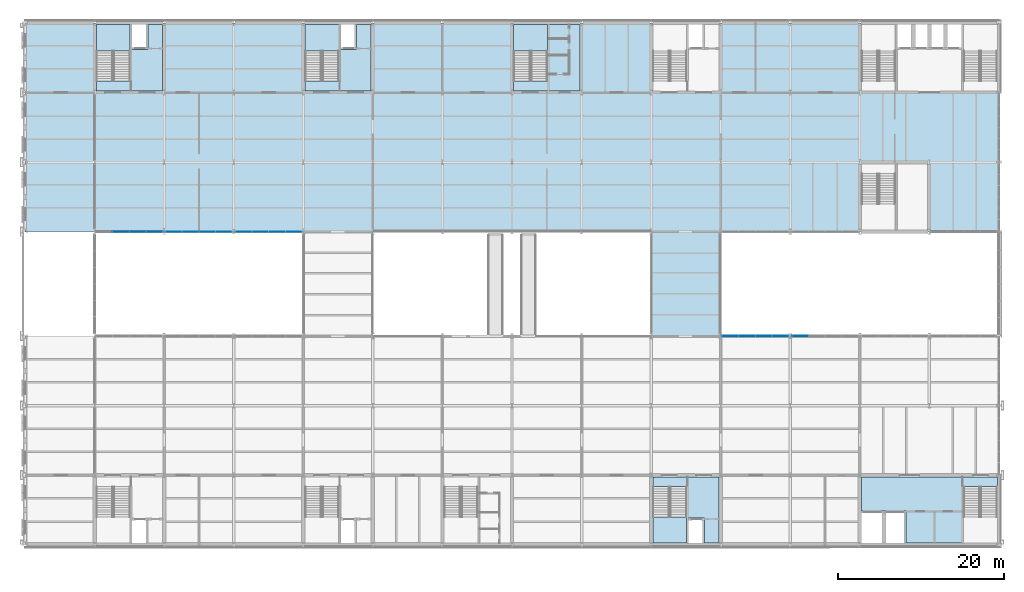
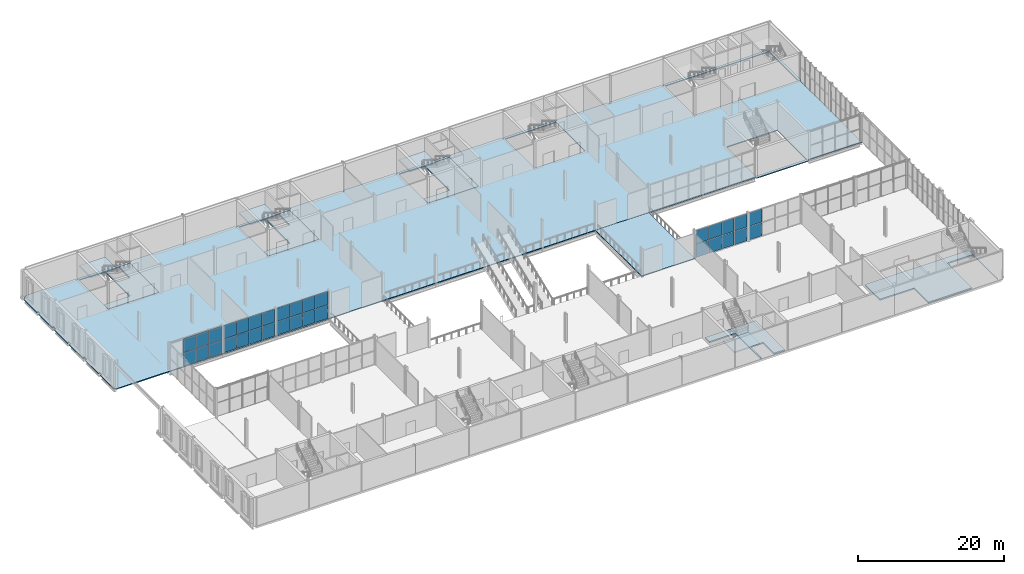
# One storey, part 32 of 61: 32 plates, 11 slabs, 9 elements without a shape of their own.
"""IFC4 building model written with IfcOpenShell, lengths in metres."""

from ifc_helpers import new_model, si_unit, direction, frame, origin, origin_2d, place, context, subcontext, project, spatial, polyline, rectangle, outline, extrude, material, layer, layer_set, type_object, element, aggregate, save


model = new_model("IFC4")

# Units and contexts
model_context = context("Model", 3, precision=1e-05, world=origin(), true_north=direction((0.0, 1.0)))
body_context = subcontext(model_context, "Body", "Model", "MODEL_VIEW")
ifc_project = project(units=[si_unit("LENGTHUNIT", "METRE"), si_unit("AREAUNIT", "SQUARE_METRE"), si_unit("VOLUMEUNIT", "CUBIC_METRE"), si_unit("PLANEANGLEUNIT", "RADIAN"), si_unit("MASSUNIT", "GRAM", prefix="KILO")], contexts=[model_context])

# Site, building, storey
site_placement = place(None, origin())
site = spatial("IfcSite", under=ifc_project, at=site_placement, CompositionType="ELEMENT")
building_placement = place(site_placement, origin())
building = spatial("IfcBuilding", under=site, at=building_placement, Name="Galleria Vessillo Department Store", CompositionType="ELEMENT")
storey_placement = place(building_placement, frame((0.0, 0.0, 11.39990234375)))
storey = spatial("IfcBuildingStorey", under=building, at=storey_placement, Name="L02", CompositionType="ELEMENT", Elevation=11.39990234375)

# Slabs
ifc_material_1 = material(Name="Concrete C32/40 composite on steel deck", Category="concrete")
ifc_layer_1 = layer(ifc_material_1, 0.14990234375)
ifc_layer_set_1 = layer_set([ifc_layer_1], Name="Concrete C32/40 composite on steel deck")
slab_type_1 = type_object("IfcSlabType", Name="Composite bridge slab 150 mm", PredefinedType="FLOOR", material=ifc_layer_set_1)
slab_1_placement = place(storey_placement, frame((0.0, 0.0, -0.14990234375)))
element("IfcSlab", 1, at=slab_1_placement, inside=storey, type_object=slab_type_1, Name="S-SLAB-L02-BRIDGE-E", PredefinedType="FLOOR", context=body_context, shape_type="SweptSolid", body=[
    extrude(outline(polyline([(84.0, 25.199951171875), (84.0, 37.800048828125), (75.60009765625, 37.800048828125), (75.60009765625, 25.199951171875), (84.0, 25.199951171875)])), origin(), (0.0, 0.0, 1.0), 0.14990234375),
])
ifc_material_2 = material(Name="Concrete C32/40 composite on steel deck", Category="concrete")
ifc_layer_2 = layer(ifc_material_2, 0.14990234375)
ifc_layer_set_2 = layer_set([ifc_layer_2], Name="Concrete C32/40 composite on steel deck")
slab_type_2 = type_object("IfcSlabType", Name="Composite floor slab 150 mm", PredefinedType="FLOOR", material=ifc_layer_set_2)
slab_2_placement = place(storey_placement, frame((0.0, 0.0, -0.14990234375)))
element("IfcSlab", 2, at=slab_2_placement, inside=storey, type_object=slab_type_2, Name="S-SLAB-L02-FLOOR-N", PredefinedType="FLOOR", context=body_context, shape_type="SweptSolid", body=[
    extrude(outline(polyline([(-0.088623046875, 38.092529296875), (-0.116943359375, 38.082275390625), (-0.14404296875, 38.069580078125), (-0.169677734375, 38.05419921875), (-0.19384765625, 38.036376953125), (-0.216064453125, 38.01611328125), (-0.236328125, 37.993896484375), (-0.25, 37.975341796875), (-0.25, 41.82470703125), (-0.236328125, 41.80615234375), (-0.216064453125, 41.783935546875), (-0.19384765625, 41.763671875), (-0.169677734375, 41.745849609375), (-0.14404296875, 41.73046875), (-0.116943359375, 41.7177734375), (-0.088623046875, 41.70751953125), (-0.0595703125, 41.7001953125), (-0.030029296875, 41.69580078125), (0.0, 41.6943359375), (0.0, 42.3056640625), (-0.030029296875, 42.30419921875), (-0.0595703125, 42.2998046875), (-0.088623046875, 42.29248046875), (-0.116943359375, 42.2822265625), (-0.14404296875, 42.26953125), (-0.169677734375, 42.254150390625), (-0.19384765625, 42.236328125), (-0.216064453125, 42.216064453125), (-0.236328125, 42.19384765625), (-0.25, 42.17529296875), (-0.25, 46.024658203125), (-0.236328125, 46.006103515625), (-0.216064453125, 45.98388671875), (-0.19384765625, 45.963623046875), (-0.169677734375, 45.94580078125), (-0.14404296875, 45.930419921875), (-0.116943359375, 45.917724609375), (-0.088623046875, 45.907470703125), (-0.0595703125, 45.900146484375), (-0.030029296875, 45.895751953125), (0.0, 45.894287109375), (0.0, 46.505615234375), (-0.030029296875, 46.504150390625), (-0.0595703125, 46.499755859375), (-0.088623046875, 46.492431640625), (-0.116943359375, 46.482177734375), (-0.14404296875, 46.469482421875), (-0.169677734375, 46.4541015625), (-0.19384765625, 46.436279296875), (-0.216064453125, 46.416015625), (-0.236328125, 46.393798828125), (-0.25, 46.375244140625), (-0.25, 50.224609375), (-0.236328125, 50.2060546875), (-0.216064453125, 50.183837890625), (-0.19384765625, 50.16357421875), (-0.169677734375, 50.145751953125), (-0.14404296875, 50.13037109375), (-0.116943359375, 50.11767578125), (-0.088623046875, 50.107421875), (-0.0595703125, 50.10009765625), (-0.030029296875, 50.095703125), (0.0, 50.09423828125), (0.0, 50.70556640625), (-0.030029296875, 50.7041015625), (-0.0595703125, 50.69970703125), (-0.088623046875, 50.6923828125), (-0.116943359375, 50.68212890625), (-0.14404296875, 50.66943359375), (-0.169677734375, 50.654052734375), (-0.19384765625, 50.63623046875), (-0.216064453125, 50.615966796875), (-0.236328125, 50.59375), (-0.25, 50.5751953125), (-0.25, 54.4248046875), (-0.236328125, 54.40625), (-0.216064453125, 54.384033203125), (-0.19384765625, 54.36376953125), (-0.169677734375, 54.345947265625), (-0.14404296875, 54.33056640625), (-0.116943359375, 54.31787109375), (-0.088623046875, 54.3076171875), (-0.0595703125, 54.30029296875), (-0.030029296875, 54.2958984375), (0.0, 54.29443359375), (0.0, 54.90576171875), (-0.030029296875, 54.904296875), (-0.0595703125, 54.89990234375), (-0.088623046875, 54.892578125), (-0.116943359375, 54.88232421875), (-0.14404296875, 54.86962890625), (-0.169677734375, 54.854248046875), (-0.19384765625, 54.83642578125), (-0.216064453125, 54.816162109375), (-0.236328125, 54.7939453125), (-0.25, 54.775390625), (-0.25, 58.624755859375), (-0.236328125, 58.606201171875), (-0.216064453125, 58.583984375), (-0.19384765625, 58.563720703125), (-0.169677734375, 58.5458984375), (-0.14404296875, 58.530517578125), (-0.116943359375, 58.517822265625), (-0.088623046875, 58.507568359375), (-0.0595703125, 58.500244140625), (-0.030029296875, 58.495849609375), (0.0, 58.494384765625), (0.0, 59.105712890625), (-0.030029296875, 59.104248046875), (-0.0595703125, 59.099853515625), (-0.088623046875, 59.092529296875), (-0.116943359375, 59.082275390625), (-0.14404296875, 59.069580078125), (-0.169677734375, 59.05419921875), (-0.19384765625, 59.036376953125), (-0.216064453125, 59.01611328125), (-0.236328125, 58.993896484375), (-0.25, 58.975341796875), (-0.25, 62.82470703125), (-0.236328125, 62.80615234375), (-0.216064453125, 62.783935546875), (-0.19384765625, 62.763671875), (-0.169677734375, 62.745849609375), (-0.14404296875, 62.73046875), (-0.116943359375, 62.7177734375), (-0.088623046875, 62.70751953125), (-0.0595703125, 62.7001953125), (-0.030029296875, 62.69580078125), (0.0, 62.6943359375), (0.0, 63.0), (0.3056640625, 63.0), (0.304931640625, 63.013671875), (0.304931640625, 63.24951171875), (8.249267578125, 63.24951171875), (8.249267578125, 63.0), (8.550537109375, 63.0), (8.550537109375, 63.199462890625), (16.6494140625, 63.199462890625), (16.6494140625, 63.0), (16.95068359375, 63.0), (16.95068359375, 63.24951171875), (25.04931640625, 63.24951171875), (25.04931640625, 63.0), (25.3505859375, 63.0), (25.3505859375, 63.24951171875), (33.449462890625, 63.24951171875), (33.449462890625, 63.0), (33.750732421875, 63.0), (33.750732421875, 63.199462890625), (41.849365234375, 63.199462890625), (41.849365234375, 63.0), (42.150634765625, 63.0), (42.150634765625, 63.24951171875), (50.249267578125, 63.24951171875), (50.249267578125, 63.0), (50.550537109375, 63.0), (50.550537109375, 63.24951171875), (58.6494140625, 63.24951171875), (58.6494140625, 63.0), (58.95068359375, 63.0), (58.95068359375, 63.199462890625), (67.04931640625, 63.199462890625), (67.04931640625, 63.0), (67.3505859375, 63.0), (67.3505859375, 63.24951171875), (75.449462890625, 63.24951171875), (75.449462890625, 63.0), (75.750732421875, 63.0), (75.750732421875, 63.199462890625), (83.846435546875, 63.199462890625), (83.846435546875, 63.0), (84.153564453125, 63.0), (84.153564453125, 63.24951171875), (92.246337890625, 63.24951171875), (92.246337890625, 63.0), (92.553466796875, 63.0), (92.553466796875, 63.24951171875), (100.646484375, 63.24951171875), (100.646484375, 63.0), (100.95361328125, 63.0), (100.95361328125, 63.199462890625), (117.314208984375, 63.199462890625), (117.3134765625, 63.153564453125), (117.3134765625, 63.0), (117.60009765625, 63.0), (117.60009765625, 62.846435546875), (117.799560546875, 62.846435546875), (117.799560546875, 54.753662109375), (117.60009765625, 54.753662109375), (117.60009765625, 37.800048828125), (109.04638671875, 37.800048828125), (109.04638671875, 37.60009765625), (100.95361328125, 37.60009765625), (100.95361328125, 37.800048828125), (0.0, 37.800048828125), (0.0, 38.105712890625), (-0.030029296875, 38.104248046875), (-0.0595703125, 38.099853515625), (-0.088623046875, 38.092529296875)]), holes=[polyline([(16.60009765625, 62.800048828125), (8.599853515625, 62.800048828125), (8.599853515625, 54.800048828125), (16.60009765625, 54.800048828125), (16.60009765625, 62.800048828125)]), polyline([(41.800048828125, 62.800048828125), (33.800048828125, 62.800048828125), (33.800048828125, 54.800048828125), (41.800048828125, 54.800048828125), (41.800048828125, 62.800048828125)]), polyline([(59.0, 62.800048828125), (59.0, 54.800048828125), (67.0, 54.800048828125), (67.0, 62.800048828125), (59.0, 62.800048828125)]), polyline([(101.0, 46.0), (101.0, 38.0), (109.0, 38.0), (109.0, 46.0), (101.0, 46.0)]), polyline([(83.800048828125, 62.800048828125), (75.800048828125, 62.800048828125), (75.800048828125, 54.800048828125), (83.800048828125, 54.800048828125), (83.800048828125, 62.800048828125)]), polyline([(117.400146484375, 62.800048828125), (101.0, 62.800048828125), (101.0, 54.800048828125), (117.400146484375, 54.800048828125), (117.400146484375, 62.800048828125)])]), origin(), (0.0, 0.0, 1.0), 0.14990234375),
])

# Curtain wall, plates
ifc_material_3 = material(Name="Aluminium and glass curtain wall", Category="aluminium")
ifc_layer_3 = layer(ifc_material_3, 0.159912109375)
ifc_layer_set_3 = layer_set([ifc_layer_3], Name="Aluminium and glass curtain wall")
curtain_wall_type_1 = type_object("IfcCurtainWallType", Name="Arcade portal glazing CW2 2100 module", PredefinedType="NOTDEFINED", material=ifc_layer_set_3)
curtain_wall_1_placement = place(storey_placement, origin())
curtain_wall_1 = element("IfcCurtainWall", 3, at=curtain_wall_1_placement, inside=storey, type_object=curtain_wall_type_1, Name="Arcade portal glazing CW2 2100 module PW-W-N-L02-01", PredefinedType="NOTDEFINED")
ifc_material_4 = material(Name="Glass laminated 44.2 low-e", Category="glass")
ifc_layer_4 = layer(ifc_material_4, 0.028076171875)
ifc_layer_set_4 = layer_set([ifc_layer_4], Name="Glass laminated 44.2 low-e")
plate_type_1 = type_object("IfcPlateType", Name="Laminated glass panel 28 mm", PredefinedType="CURTAIN_PANEL", material=ifc_layer_set_4)
plate_1_placement = place(storey_placement, frame((11.588134765625, 37.800048828125, 0.06005859375), z_axis=(0.0, 0.0, 1.0), x_axis=(1.0, 0.0, 0.0)))
plate_1 = element("IfcPlate", 4, at=plate_1_placement, type_object=plate_type_1, Name="CW2 panel 2.1", PredefinedType="CURTAIN_PANEL", context=body_context, shape_type="SweptSolid", body=[
    extrude(rectangle(XDim=1.9736328125, YDim=0.028076171875, at=origin_2d()), origin(), (0.0, 0.0, 1.0), 2.235107421875),
])
plate_2_placement = place(storey_placement, frame((11.588134765625, 37.800048828125, 2.35498046875), z_axis=(0.0, 0.0, 1.0), x_axis=(1.0, 0.0, 0.0)))
plate_2 = element("IfcPlate", 5, at=plate_2_placement, type_object=plate_type_1, Name="CW2 panel 2.2", PredefinedType="CURTAIN_PANEL", context=body_context, shape_type="SweptSolid", body=[
    extrude(rectangle(XDim=1.9736328125, YDim=0.028076171875, at=origin_2d()), origin(), (0.0, 0.0, 1.0), 2.235107421875),
])
plate_3_placement = place(storey_placement, frame((13.61181640625, 37.800048828125, 0.06005859375), z_axis=(0.0, 0.0, 1.0), x_axis=(1.0, 0.0, 0.0)))
plate_3 = element("IfcPlate", 6, at=plate_3_placement, type_object=plate_type_1, Name="CW2 panel 3.1", PredefinedType="CURTAIN_PANEL", context=body_context, shape_type="SweptSolid", body=[
    extrude(rectangle(XDim=1.9736328125, YDim=0.028076171875, at=origin_2d()), origin(), (0.0, 0.0, 1.0), 2.235107421875),
])
plate_4_placement = place(storey_placement, frame((13.61181640625, 37.800048828125, 2.35498046875), z_axis=(0.0, 0.0, 1.0), x_axis=(1.0, 0.0, 0.0)))
plate_4 = element("IfcPlate", 7, at=plate_4_placement, type_object=plate_type_1, Name="CW2 panel 3.2", PredefinedType="CURTAIN_PANEL", context=body_context, shape_type="SweptSolid", body=[
    extrude(rectangle(XDim=1.9736328125, YDim=0.028076171875, at=origin_2d()), origin(), (0.0, 0.0, 1.0), 2.235107421875),
])
plate_5_placement = place(storey_placement, frame((15.623046875, 37.800048828125, 0.06005859375), z_axis=(0.0, 0.0, 1.0), x_axis=(1.0, 0.0, 0.0)))
plate_5 = element("IfcPlate", 8, at=plate_5_placement, type_object=plate_type_1, Name="CW2 panel 4.1", PredefinedType="CURTAIN_PANEL", context=body_context, shape_type="SweptSolid", body=[
    extrude(rectangle(XDim=1.94873046875, YDim=0.028076171875, at=origin_2d()), origin(), (0.0, 0.0, 1.0), 2.235107421875),
])
plate_6_placement = place(storey_placement, frame((15.623046875, 37.800048828125, 2.35498046875), z_axis=(0.0, 0.0, 1.0), x_axis=(1.0, 0.0, 0.0)))
plate_6 = element("IfcPlate", 9, at=plate_6_placement, type_object=plate_type_1, Name="CW2 panel 4.2", PredefinedType="CURTAIN_PANEL", context=body_context, shape_type="SweptSolid", body=[
    extrude(rectangle(XDim=1.94873046875, YDim=0.028076171875, at=origin_2d()), origin(), (0.0, 0.0, 1.0), 2.235107421875),
])
aggregate(curtain_wall_1, [plate_1, plate_2, plate_3, plate_4, plate_5, plate_6])

ifc_material_5 = material(Name="Aluminium and glass curtain wall", Category="aluminium")
ifc_layer_5 = layer(ifc_material_5, 0.199951171875)
ifc_layer_set_5 = layer_set([ifc_layer_5], Name="Aluminium and glass curtain wall")
curtain_wall_type_2 = type_object("IfcCurtainWallType", Name="Arcade curtain wall CW1 2100 module", PredefinedType="NOTDEFINED", material=ifc_layer_set_5)
curtain_wall_2_placement = place(storey_placement, origin())
curtain_wall_2 = element("IfcCurtainWall", 10, at=curtain_wall_2_placement, inside=storey, type_object=curtain_wall_type_2, Name="Arcade curtain wall CW1 2100 module AI-AE-S-L02-01", PredefinedType="NOTDEFINED")
ifc_material_6 = material(Name="Glass laminated 44.2 low-e", Category="glass")
ifc_layer_6 = layer(ifc_material_6, 0.031982421875)
ifc_layer_set_6 = layer_set([ifc_layer_6], Name="Glass laminated 44.2 low-e")
plate_type_2 = type_object("IfcPlateType", Name="Laminated glass panel 32 mm", PredefinedType="CURTAIN_PANEL", material=ifc_layer_set_6)
plate_7_placement = place(storey_placement, frame((85.179443359375, 25.199951171875, 0.06982421875), z_axis=(0.0, 0.0, 1.0), x_axis=(1.0, 0.0, 0.0)))
plate_7 = element("IfcPlate", 11, at=plate_7_placement, type_object=plate_type_2, Name="CW1 panel 1.1", PredefinedType="CURTAIN_PANEL", context=body_context, shape_type="SweptSolid", body=[
    extrude(rectangle(XDim=1.93359375, YDim=0.031982421875, at=origin_2d()), origin(), (0.0, 0.0, 1.0), 2.22021484375),
])
plate_8_placement = place(storey_placement, frame((85.179443359375, 25.199951171875, 2.3603515625), z_axis=(0.0, 0.0, 1.0), x_axis=(1.0, 0.0, 0.0)))
plate_8 = element("IfcPlate", 12, at=plate_8_placement, type_object=plate_type_2, Name="CW1 panel 1.2", PredefinedType="CURTAIN_PANEL", context=body_context, shape_type="SweptSolid", body=[
    extrude(rectangle(XDim=1.93359375, YDim=0.031982421875, at=origin_2d()), origin(), (0.0, 0.0, 1.0), 2.219970703125),
])
plate_9_placement = place(storey_placement, frame((87.18798828125, 25.199951171875, 0.06982421875), z_axis=(0.0, 0.0, 1.0), x_axis=(1.0, 0.0, 0.0)))
plate_9 = element("IfcPlate", 13, at=plate_9_placement, type_object=plate_type_2, Name="CW1 panel 2.1", PredefinedType="CURTAIN_PANEL", context=body_context, shape_type="SweptSolid", body=[
    extrude(rectangle(XDim=1.963623046875, YDim=0.031982421875, at=origin_2d()), origin(), (0.0, 0.0, 1.0), 2.22021484375),
])
plate_10_placement = place(storey_placement, frame((87.18798828125, 25.199951171875, 2.3603515625), z_axis=(0.0, 0.0, 1.0), x_axis=(1.0, 0.0, 0.0)))
plate_10 = element("IfcPlate", 14, at=plate_10_placement, type_object=plate_type_2, Name="CW1 panel 2.2", PredefinedType="CURTAIN_PANEL", context=body_context, shape_type="SweptSolid", body=[
    extrude(rectangle(XDim=1.963623046875, YDim=0.031982421875, at=origin_2d()), origin(), (0.0, 0.0, 1.0), 2.219970703125),
])
plate_11_placement = place(storey_placement, frame((89.21142578125, 25.199951171875, 0.06982421875), z_axis=(0.0, 0.0, 1.0), x_axis=(1.0, 0.0, 0.0)))
plate_11 = element("IfcPlate", 15, at=plate_11_placement, type_object=plate_type_2, Name="CW1 panel 3.1", PredefinedType="CURTAIN_PANEL", context=body_context, shape_type="SweptSolid", body=[
    extrude(rectangle(XDim=1.963623046875, YDim=0.031982421875, at=origin_2d()), origin(), (0.0, 0.0, 1.0), 2.22021484375),
])
plate_12_placement = place(storey_placement, frame((89.21142578125, 25.199951171875, 2.3603515625), z_axis=(0.0, 0.0, 1.0), x_axis=(1.0, 0.0, 0.0)))
plate_12 = element("IfcPlate", 16, at=plate_12_placement, type_object=plate_type_2, Name="CW1 panel 3.2", PredefinedType="CURTAIN_PANEL", context=body_context, shape_type="SweptSolid", body=[
    extrude(rectangle(XDim=1.963623046875, YDim=0.031982421875, at=origin_2d()), origin(), (0.0, 0.0, 1.0), 2.219970703125),
])
plate_13_placement = place(storey_placement, frame((91.219970703125, 25.199951171875, 0.06982421875), z_axis=(0.0, 0.0, 1.0), x_axis=(1.0, 0.0, 0.0)))
plate_13 = element("IfcPlate", 17, at=plate_13_placement, type_object=plate_type_2, Name="CW1 panel 4.1", PredefinedType="CURTAIN_PANEL", context=body_context, shape_type="SweptSolid", body=[
    extrude(rectangle(XDim=1.93359375, YDim=0.031982421875, at=origin_2d()), origin(), (0.0, 0.0, 1.0), 2.22021484375),
])
plate_14_placement = place(storey_placement, frame((91.219970703125, 25.199951171875, 2.3603515625), z_axis=(0.0, 0.0, 1.0), x_axis=(1.0, 0.0, 0.0)))
plate_14 = element("IfcPlate", 18, at=plate_14_placement, type_object=plate_type_2, Name="CW1 panel 4.2", PredefinedType="CURTAIN_PANEL", context=body_context, shape_type="SweptSolid", body=[
    extrude(rectangle(XDim=1.93359375, YDim=0.031982421875, at=origin_2d()), origin(), (0.0, 0.0, 1.0), 2.219970703125),
])
aggregate(curtain_wall_2, [plate_7, plate_8, plate_9, plate_10, plate_11, plate_12, plate_13, plate_14])

curtain_wall_3_placement = place(storey_placement, origin())
curtain_wall_3 = element("IfcCurtainWall", 19, at=curtain_wall_3_placement, inside=storey, type_object=curtain_wall_type_2, Name="Arcade curtain wall CW1 2100 module AI-AE-S-L02-02", PredefinedType="NOTDEFINED")
plate_15_placement = place(storey_placement, frame((93.579833984375, 25.199951171875, 0.06982421875), z_axis=(0.0, 0.0, 1.0), x_axis=(1.0, 0.0, 0.0)))
plate_15 = element("IfcPlate", 20, at=plate_15_placement, type_object=plate_type_2, Name="CW1 panel 1.1", PredefinedType="CURTAIN_PANEL", context=body_context, shape_type="SweptSolid", body=[
    extrude(rectangle(XDim=1.93359375, YDim=0.031982421875, at=origin_2d()), origin(), (0.0, 0.0, 1.0), 2.22021484375),
])
plate_16_placement = place(storey_placement, frame((93.579833984375, 25.199951171875, 2.3603515625), z_axis=(0.0, 0.0, 1.0), x_axis=(1.0, 0.0, 0.0)))
plate_16 = element("IfcPlate", 21, at=plate_16_placement, type_object=plate_type_2, Name="CW1 panel 1.2", PredefinedType="CURTAIN_PANEL", context=body_context, shape_type="SweptSolid", body=[
    extrude(rectangle(XDim=1.93359375, YDim=0.031982421875, at=origin_2d()), origin(), (0.0, 0.0, 1.0), 2.219970703125),
])
aggregate(curtain_wall_3, [plate_15, plate_16])

curtain_wall_4_placement = place(storey_placement, origin())
curtain_wall_4 = element("IfcCurtainWall", 22, at=curtain_wall_4_placement, inside=storey, type_object=curtain_wall_type_2, Name="Arcade curtain wall CW1 2100 module AI-AW-N-L02-01", PredefinedType="NOTDEFINED")
plate_17_placement = place(storey_placement, frame((17.9794921875, 37.800048828125, 0.06982421875), z_axis=(0.0, 0.0, 1.0), x_axis=(1.0, 0.0, 0.0)))
plate_17 = element("IfcPlate", 23, at=plate_17_placement, type_object=plate_type_2, Name="CW1 panel 1.1", PredefinedType="CURTAIN_PANEL", context=body_context, shape_type="SweptSolid", body=[
    extrude(rectangle(XDim=1.93359375, YDim=0.031982421875, at=origin_2d()), origin(), (0.0, 0.0, 1.0), 2.22021484375),
])
plate_18_placement = place(storey_placement, frame((17.9794921875, 37.800048828125, 2.3603515625), z_axis=(0.0, 0.0, 1.0), x_axis=(1.0, 0.0, 0.0)))
plate_18 = element("IfcPlate", 24, at=plate_18_placement, type_object=plate_type_2, Name="CW1 panel 1.2", PredefinedType="CURTAIN_PANEL", context=body_context, shape_type="SweptSolid", body=[
    extrude(rectangle(XDim=1.93359375, YDim=0.031982421875, at=origin_2d()), origin(), (0.0, 0.0, 1.0), 2.219970703125),
])
plate_19_placement = place(storey_placement, frame((19.988037109375, 37.800048828125, 0.06982421875), z_axis=(0.0, 0.0, 1.0), x_axis=(1.0, 0.0, 0.0)))
plate_19 = element("IfcPlate", 25, at=plate_19_placement, type_object=plate_type_2, Name="CW1 panel 2.1", PredefinedType="CURTAIN_PANEL", context=body_context, shape_type="SweptSolid", body=[
    extrude(rectangle(XDim=1.963623046875, YDim=0.031982421875, at=origin_2d()), origin(), (0.0, 0.0, 1.0), 2.22021484375),
])
plate_20_placement = place(storey_placement, frame((19.988037109375, 37.800048828125, 2.3603515625), z_axis=(0.0, 0.0, 1.0), x_axis=(1.0, 0.0, 0.0)))
plate_20 = element("IfcPlate", 26, at=plate_20_placement, type_object=plate_type_2, Name="CW1 panel 2.2", PredefinedType="CURTAIN_PANEL", context=body_context, shape_type="SweptSolid", body=[
    extrude(rectangle(XDim=1.963623046875, YDim=0.031982421875, at=origin_2d()), origin(), (0.0, 0.0, 1.0), 2.219970703125),
])
plate_21_placement = place(storey_placement, frame((22.011474609375, 37.800048828125, 0.06982421875), z_axis=(0.0, 0.0, 1.0), x_axis=(1.0, 0.0, 0.0)))
plate_21 = element("IfcPlate", 27, at=plate_21_placement, type_object=plate_type_2, Name="CW1 panel 3.1", PredefinedType="CURTAIN_PANEL", context=body_context, shape_type="SweptSolid", body=[
    extrude(rectangle(XDim=1.963623046875, YDim=0.031982421875, at=origin_2d()), origin(), (0.0, 0.0, 1.0), 2.22021484375),
])
plate_22_placement = place(storey_placement, frame((22.011474609375, 37.800048828125, 2.3603515625), z_axis=(0.0, 0.0, 1.0), x_axis=(1.0, 0.0, 0.0)))
plate_22 = element("IfcPlate", 28, at=plate_22_placement, type_object=plate_type_2, Name="CW1 panel 3.2", PredefinedType="CURTAIN_PANEL", context=body_context, shape_type="SweptSolid", body=[
    extrude(rectangle(XDim=1.963623046875, YDim=0.031982421875, at=origin_2d()), origin(), (0.0, 0.0, 1.0), 2.219970703125),
])
plate_23_placement = place(storey_placement, frame((24.02001953125, 37.800048828125, 0.06982421875), z_axis=(0.0, 0.0, 1.0), x_axis=(1.0, 0.0, 0.0)))
plate_23 = element("IfcPlate", 29, at=plate_23_placement, type_object=plate_type_2, Name="CW1 panel 4.1", PredefinedType="CURTAIN_PANEL", context=body_context, shape_type="SweptSolid", body=[
    extrude(rectangle(XDim=1.93359375, YDim=0.031982421875, at=origin_2d()), origin(), (0.0, 0.0, 1.0), 2.22021484375),
])
plate_24_placement = place(storey_placement, frame((24.02001953125, 37.800048828125, 2.3603515625), z_axis=(0.0, 0.0, 1.0), x_axis=(1.0, 0.0, 0.0)))
plate_24 = element("IfcPlate", 30, at=plate_24_placement, type_object=plate_type_2, Name="CW1 panel 4.2", PredefinedType="CURTAIN_PANEL", context=body_context, shape_type="SweptSolid", body=[
    extrude(rectangle(XDim=1.93359375, YDim=0.031982421875, at=origin_2d()), origin(), (0.0, 0.0, 1.0), 2.219970703125),
])
aggregate(curtain_wall_4, [plate_17, plate_18, plate_19, plate_20, plate_21, plate_22, plate_23, plate_24])

curtain_wall_5_placement = place(storey_placement, origin())
curtain_wall_5 = element("IfcCurtainWall", 31, at=curtain_wall_5_placement, inside=storey, type_object=curtain_wall_type_2, Name="Arcade curtain wall CW1 2100 module AI-AW-N-L02-02", PredefinedType="NOTDEFINED")
plate_25_placement = place(storey_placement, frame((26.3798828125, 37.800048828125, 0.06982421875), z_axis=(0.0, 0.0, 1.0), x_axis=(1.0, 0.0, 0.0)))
plate_25 = element("IfcPlate", 32, at=plate_25_placement, type_object=plate_type_2, Name="CW1 panel 1.1", PredefinedType="CURTAIN_PANEL", context=body_context, shape_type="SweptSolid", body=[
    extrude(rectangle(XDim=1.93359375, YDim=0.031982421875, at=origin_2d()), origin(), (0.0, 0.0, 1.0), 2.22021484375),
])
plate_26_placement = place(storey_placement, frame((26.3798828125, 37.800048828125, 2.3603515625), z_axis=(0.0, 0.0, 1.0), x_axis=(1.0, 0.0, 0.0)))
plate_26 = element("IfcPlate", 33, at=plate_26_placement, type_object=plate_type_2, Name="CW1 panel 1.2", PredefinedType="CURTAIN_PANEL", context=body_context, shape_type="SweptSolid", body=[
    extrude(rectangle(XDim=1.93359375, YDim=0.031982421875, at=origin_2d()), origin(), (0.0, 0.0, 1.0), 2.219970703125),
])
plate_27_placement = place(storey_placement, frame((28.388427734375, 37.800048828125, 0.06982421875), z_axis=(0.0, 0.0, 1.0), x_axis=(1.0, 0.0, 0.0)))
plate_27 = element("IfcPlate", 34, at=plate_27_placement, type_object=plate_type_2, Name="CW1 panel 2.1", PredefinedType="CURTAIN_PANEL", context=body_context, shape_type="SweptSolid", body=[
    extrude(rectangle(XDim=1.963623046875, YDim=0.031982421875, at=origin_2d()), origin(), (0.0, 0.0, 1.0), 2.22021484375),
])
plate_28_placement = place(storey_placement, frame((28.388427734375, 37.800048828125, 2.3603515625), z_axis=(0.0, 0.0, 1.0), x_axis=(1.0, 0.0, 0.0)))
plate_28 = element("IfcPlate", 35, at=plate_28_placement, type_object=plate_type_2, Name="CW1 panel 2.2", PredefinedType="CURTAIN_PANEL", context=body_context, shape_type="SweptSolid", body=[
    extrude(rectangle(XDim=1.963623046875, YDim=0.031982421875, at=origin_2d()), origin(), (0.0, 0.0, 1.0), 2.219970703125),
])
plate_29_placement = place(storey_placement, frame((30.412109375, 37.800048828125, 0.06982421875), z_axis=(0.0, 0.0, 1.0), x_axis=(1.0, 0.0, 0.0)))
plate_29 = element("IfcPlate", 36, at=plate_29_placement, type_object=plate_type_2, Name="CW1 panel 3.1", PredefinedType="CURTAIN_PANEL", context=body_context, shape_type="SweptSolid", body=[
    extrude(rectangle(XDim=1.963623046875, YDim=0.031982421875, at=origin_2d()), origin(), (0.0, 0.0, 1.0), 2.22021484375),
])
plate_30_placement = place(storey_placement, frame((30.412109375, 37.800048828125, 2.3603515625), z_axis=(0.0, 0.0, 1.0), x_axis=(1.0, 0.0, 0.0)))
plate_30 = element("IfcPlate", 37, at=plate_30_placement, type_object=plate_type_2, Name="CW1 panel 3.2", PredefinedType="CURTAIN_PANEL", context=body_context, shape_type="SweptSolid", body=[
    extrude(rectangle(XDim=1.963623046875, YDim=0.031982421875, at=origin_2d()), origin(), (0.0, 0.0, 1.0), 2.219970703125),
])
plate_31_placement = place(storey_placement, frame((32.420654296875, 37.800048828125, 0.06982421875), z_axis=(0.0, 0.0, 1.0), x_axis=(1.0, 0.0, 0.0)))
plate_31 = element("IfcPlate", 38, at=plate_31_placement, type_object=plate_type_2, Name="CW1 panel 4.1", PredefinedType="CURTAIN_PANEL", context=body_context, shape_type="SweptSolid", body=[
    extrude(rectangle(XDim=1.93359375, YDim=0.031982421875, at=origin_2d()), origin(), (0.0, 0.0, 1.0), 2.22021484375),
])
plate_32_placement = place(storey_placement, frame((32.420654296875, 37.800048828125, 2.3603515625), z_axis=(0.0, 0.0, 1.0), x_axis=(1.0, 0.0, 0.0)))
plate_32 = element("IfcPlate", 39, at=plate_32_placement, type_object=plate_type_2, Name="CW1 panel 4.2", PredefinedType="CURTAIN_PANEL", context=body_context, shape_type="SweptSolid", body=[
    extrude(rectangle(XDim=1.93359375, YDim=0.031982421875, at=origin_2d()), origin(), (0.0, 0.0, 1.0), 2.219970703125),
])
aggregate(curtain_wall_5, [plate_25, plate_26, plate_27, plate_28, plate_29, plate_30, plate_31, plate_32])

# Slabs
ifc_material_7 = material(Name="Concrete C32/40 reinforced", Category="concrete")
ifc_layer_7 = layer(ifc_material_7, 0.219970703125)
ifc_layer_set_7 = layer_set([ifc_layer_7], Name="Concrete C32/40 reinforced")
slab_type_3 = type_object("IfcSlabType", Name="Reinforced concrete core floor slab 220 mm", PredefinedType="FLOOR", material=ifc_layer_set_7)
slab_3_placement = place(storey_placement, frame((0.0, 0.0, -0.219970703125)))
element("IfcSlab", 40, at=slab_3_placement, inside=storey, type_object=slab_type_3, Name="S-SLAB-L02-CORE-PC-NW", PredefinedType="FLOOR", context=body_context, shape_type="SweptSolid", body=[
    extrude(outline(polyline([(16.60009765625, 62.800048828125), (16.60009765625, 54.800048828125), (8.599853515625, 54.800048828125), (8.60009765625, 62.800048828125), (8.60009765625, 56.0), (12.699951171875, 56.0), (12.699951171875, 62.800048828125), (12.89990234375, 62.800048828125), (12.89990234375, 59.800048828125), (14.85009765625, 59.800048828125), (14.85009765625, 62.800048828125), (16.60009765625, 62.800048828125)])), origin(), (0.0, 0.0, 1.0), 0.219970703125),
])
slab_4_placement = place(storey_placement, frame((0.0, 0.0, -0.219970703125)))
element("IfcSlab", 41, at=slab_4_placement, inside=storey, type_object=slab_type_3, Name="S-SLAB-L02-CORE-PC-NM", PredefinedType="FLOOR", context=body_context, shape_type="SweptSolid", body=[
    extrude(outline(polyline([(41.800048828125, 62.800048828125), (41.800048828125, 54.800048828125), (33.800048828125, 54.800048828125), (33.800048828125, 56.0), (37.89990234375, 56.0), (37.89990234375, 62.800048828125), (38.10009765625, 62.800048828125), (38.10009765625, 59.800048828125), (40.050048828125, 59.800048828125), (40.050048828125, 62.800048828125), (41.800048828125, 62.800048828125)])), origin(), (0.0, 0.0, 1.0), 0.219970703125),
])
slab_5_placement = place(storey_placement, frame((0.0, 0.0, -0.219970703125)))
element("IfcSlab", 42, at=slab_5_placement, inside=storey, type_object=slab_type_3, Name="S-SLAB-L02-CORE-PC-SE", PredefinedType="FLOOR", context=body_context, shape_type="SweptSolid", body=[
    extrude(outline(polyline([(75.800048828125, 8.199951171875), (83.800048828125, 8.199951171875), (83.800048828125, 0.199951171875), (82.050048828125, 0.199951171875), (82.050048828125, 3.199951171875), (80.10009765625, 3.199951171875), (80.10009765625, 0.199951171875), (79.89990234375, 0.199951171875), (79.89990234375, 7.0), (75.800048828125, 7.0), (75.800048828125, 8.199951171875)])), origin(), (0.0, 0.0, 1.0), 0.219970703125),
])
slab_6_placement = place(storey_placement, frame((0.0, 0.0, -0.219970703125)))
element("IfcSlab", 43, at=slab_6_placement, inside=storey, type_object=slab_type_3, Name="S-SLAB-L02-CORE-PC-NC", PredefinedType="FLOOR", context=body_context, shape_type="SweptSolid", body=[
    extrude(outline(polyline([(67.0, 62.800048828125), (67.0, 54.800048828125), (59.0, 54.800048828125), (59.0, 56.0), (63.10009765625, 56.0), (63.10009765625, 62.800048828125), (67.0, 62.800048828125)])), origin(), (0.0, 0.0, 1.0), 0.219970703125),
])
slab_7_placement = place(storey_placement, frame((0.0, 0.0, -0.219970703125)))
element("IfcSlab", 44, at=slab_7_placement, inside=storey, type_object=slab_type_3, Name="S-SLAB-L02-CORE-GC", PredefinedType="FLOOR", context=body_context, shape_type="SweptSolid", body=[
    extrude(outline(polyline([(101.0, 8.199951171875), (117.400146484375, 8.199951171875), (117.39990234375, 0.199951171875), (117.39990234375, 7.0), (113.300048828125, 7.0), (113.300048828125, 0.199951171875), (106.39990234375, 0.199951171875), (106.39990234375, 4.10009765625), (101.0, 4.10009765625), (101.0, 8.199951171875)])), origin(), (0.0, 0.0, 1.0), 0.219970703125),
])

# Stair, slab
ifc_material_8 = material(Name="Concrete C32/40", Category="concrete")
stair_type = type_object("IfcStairType", Name="Half-turn escape stair 2000 mm, 28 risers of 171 mm", PredefinedType="HALF_TURN_STAIR", material=ifc_material_8)
stair_1_placement = place(storey_placement, origin())
stair_1 = element("IfcStair", 45, at=stair_1_placement, inside=storey, type_object=stair_type, Name="Stair ST2 L02", PredefinedType="HALF_TURN_STAIR")
ifc_material_9 = material(Name="Concrete C32/40", Category="concrete")
ifc_layer_8 = layer(ifc_material_9, 0.199951171875)
ifc_layer_set_8 = layer_set([ifc_layer_8], Name="Concrete C32/40")
slab_type_4 = type_object("IfcSlabType", Name="Stair half landing 4100 x 3160 mm", PredefinedType="LANDING", material=ifc_layer_set_8)
slab_8_placement = place(storey_placement, frame((0.0, 0.0, 2.2001953125)))
slab_8 = element("IfcSlab", 46, at=slab_8_placement, type_object=slab_type_4, Name="ST2 landing 1", PredefinedType="LANDING", context=body_context, shape_type="SweptSolid", body=[
    extrude(outline(polyline([(8.599853515625, 59.639892578125), (8.599853515625, 62.800048828125), (12.699951171875, 62.800048828125), (12.699951171875, 59.639892578125), (8.599853515625, 59.639892578125)])), origin(), (0.0, 0.0, 1.0), 0.199951171875),
])
aggregate(stair_1, [slab_8])

stair_2_placement = place(storey_placement, origin())
stair_2 = element("IfcStair", 47, at=stair_2_placement, inside=storey, type_object=stair_type, Name="Stair ST4 L02", PredefinedType="HALF_TURN_STAIR")
slab_9_placement = place(storey_placement, frame((0.0, 0.0, 2.2001953125)))
slab_9 = element("IfcSlab", 48, at=slab_9_placement, type_object=slab_type_4, Name="ST4 landing 1", PredefinedType="LANDING", context=body_context, shape_type="SweptSolid", body=[
    extrude(outline(polyline([(33.800048828125, 59.639892578125), (33.800048828125, 62.800048828125), (37.900146484375, 62.800048828125), (37.900146484375, 59.639892578125), (33.800048828125, 59.639892578125)])), origin(), (0.0, 0.0, 1.0), 0.199951171875),
])
aggregate(stair_2, [slab_9])

stair_3_placement = place(storey_placement, origin())
stair_3 = element("IfcStair", 49, at=stair_3_placement, inside=storey, type_object=stair_type, Name="Stair ST5 L02", PredefinedType="HALF_TURN_STAIR")
slab_10_placement = place(storey_placement, frame((0.0, 0.0, 2.2001953125)))
slab_10 = element("IfcSlab", 50, at=slab_10_placement, type_object=slab_type_4, Name="ST5 landing 1", PredefinedType="LANDING", context=body_context, shape_type="SweptSolid", body=[
    extrude(outline(polyline([(75.800048828125, 0.199951171875), (75.800048828125, 3.360107421875), (79.900146484375, 3.360107421875), (79.900146484375, 0.199951171875), (75.800048828125, 0.199951171875)])), origin(), (0.0, 0.0, 1.0), 0.199951171875),
])
aggregate(stair_3, [slab_10])

stair_4_placement = place(storey_placement, origin())
stair_4 = element("IfcStair", 51, at=stair_4_placement, inside=storey, type_object=stair_type, Name="Stair ST11 L02", PredefinedType="HALF_TURN_STAIR")
slab_11_placement = place(storey_placement, frame((0.0, 0.0, 2.2001953125)))
slab_11 = element("IfcSlab", 52, at=slab_11_placement, type_object=slab_type_4, Name="ST11 landing 1", PredefinedType="LANDING", context=body_context, shape_type="SweptSolid", body=[
    extrude(outline(polyline([(59.0, 59.639892578125), (59.0, 62.800048828125), (63.10009765625, 62.800048828125), (63.10009765625, 59.639892578125), (59.0, 59.639892578125)])), origin(), (0.0, 0.0, 1.0), 0.199951171875),
])
aggregate(stair_4, [slab_11])

save(model, "model.ifc")
